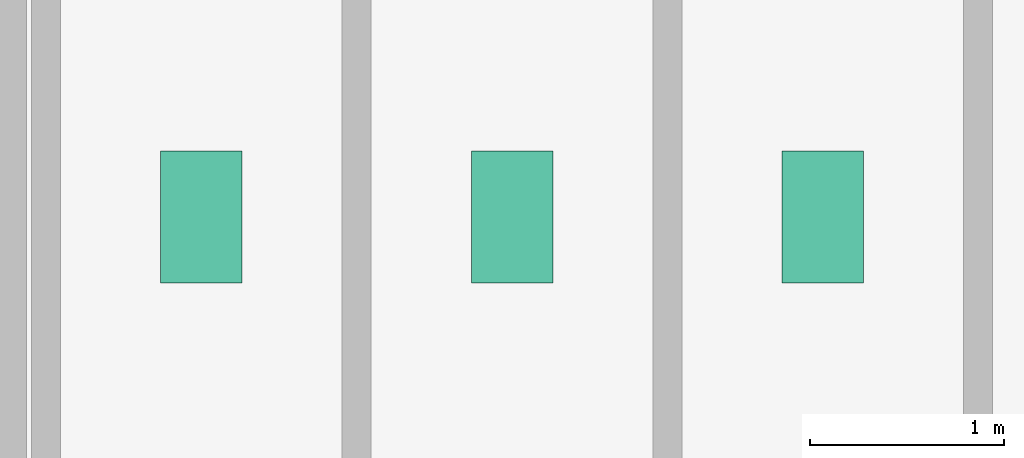
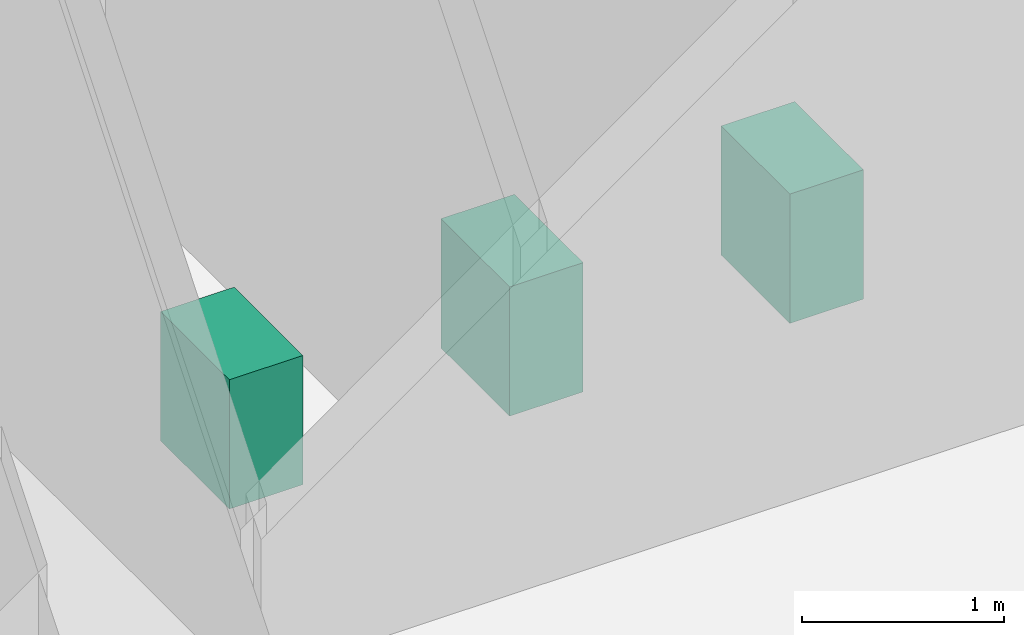
# One storey, part 22 of 22: 3 sanitary terminals.
"""IFC4 building model written with IfcOpenShell, lengths in metres."""

from ifc_helpers import new_model, si_unit, derived_unit, direction, frame, origin, origin_2d, place, context, subcontext, project, spatial, rectangle, extrude, source, transform, mapped, material, type_object, element, save


model = new_model("IFC4")

# Units and contexts
model_context = context("Model", 3, precision=1e-05, world=origin(), true_north=direction((0.0, 1.0)))
body_context = subcontext(model_context, "Body", "Model", "MODEL_VIEW")
ifc_project = project(units=[si_unit("LENGTHUNIT", "METRE"), si_unit("AREAUNIT", "SQUARE_METRE"), si_unit("VOLUMEUNIT", "CUBIC_METRE"), si_unit("PLANEANGLEUNIT", "RADIAN"), si_unit("MASSUNIT", "GRAM", prefix="KILO"), derived_unit("THERMALTRANSMITTANCEUNIT", [(si_unit("POWERUNIT", "WATT"), 1), (si_unit("LENGTHUNIT", "METRE"), -2), (si_unit("THERMODYNAMICTEMPERATUREUNIT", "KELVIN"), -1)])], contexts=[model_context])

# Site, building, storey
site_placement = place(None, origin())
site = spatial("IfcSite", under=ifc_project, at=site_placement, CompositionType="ELEMENT")
building_placement = place(site_placement, origin())
building = spatial("IfcBuilding", under=site, at=building_placement, Name="Skarnbrae Concourse Arena and Tower", CompositionType="ELEMENT")
storey_placement = place(building_placement, frame((0.0, 0.0, 65.35009765625)))
storey = spatial("IfcBuildingStorey", under=building, at=storey_placement, Name="L15", CompositionType="ELEMENT", Elevation=65.35009765625)

# Sanitary terminals
ifc_material = material(Name="Vitreous china sanitaryware", Category="other")
sanitary_terminal_type = type_object("IfcSanitaryTerminalType", Name="SAN-WC-VITREOUS", PredefinedType="TOILETPAN", material=ifc_material)
shared_shape = source(origin(), body_context, "Body", "SweptSolid", [
    extrude(rectangle(XDim=0.419921875, YDim=0.679931640625, at=origin_2d()), origin(), (0.0, 0.0, 1.0), 0.780029296875),
])
for number, where, z_axis, x_axis, name in (
    (1, (35.0, 11.39990234375, 0.0), (0.0, 0.0, 1.0), (1.0, 0.0, 0.0), "L15 Washroom WC fixture 1"),
    (2, (36.60009765625, 11.39990234375, 0.0), (0.0, 0.0, 1.0), (1.0, 0.0, 0.0), "L15 Washroom WC fixture 2"),
    (3, (38.199951171875, 11.39990234375, 0.0), (0.0, 0.0, 1.0), (1.0, 0.0, 0.0), "L15 Washroom WC fixture 3"),
):
    element("IfcSanitaryTerminal", number, at=place(storey_placement, frame(where, z_axis=z_axis, x_axis=x_axis)), inside=storey, type_object=sanitary_terminal_type, Name=name, PredefinedType="TOILETPAN", context=body_context, shape_type="MappedRepresentation", body=[
        mapped(shared_shape, transform((0.0, 0.0, 0.0))),
    ])

save(model, "model.ifc")
